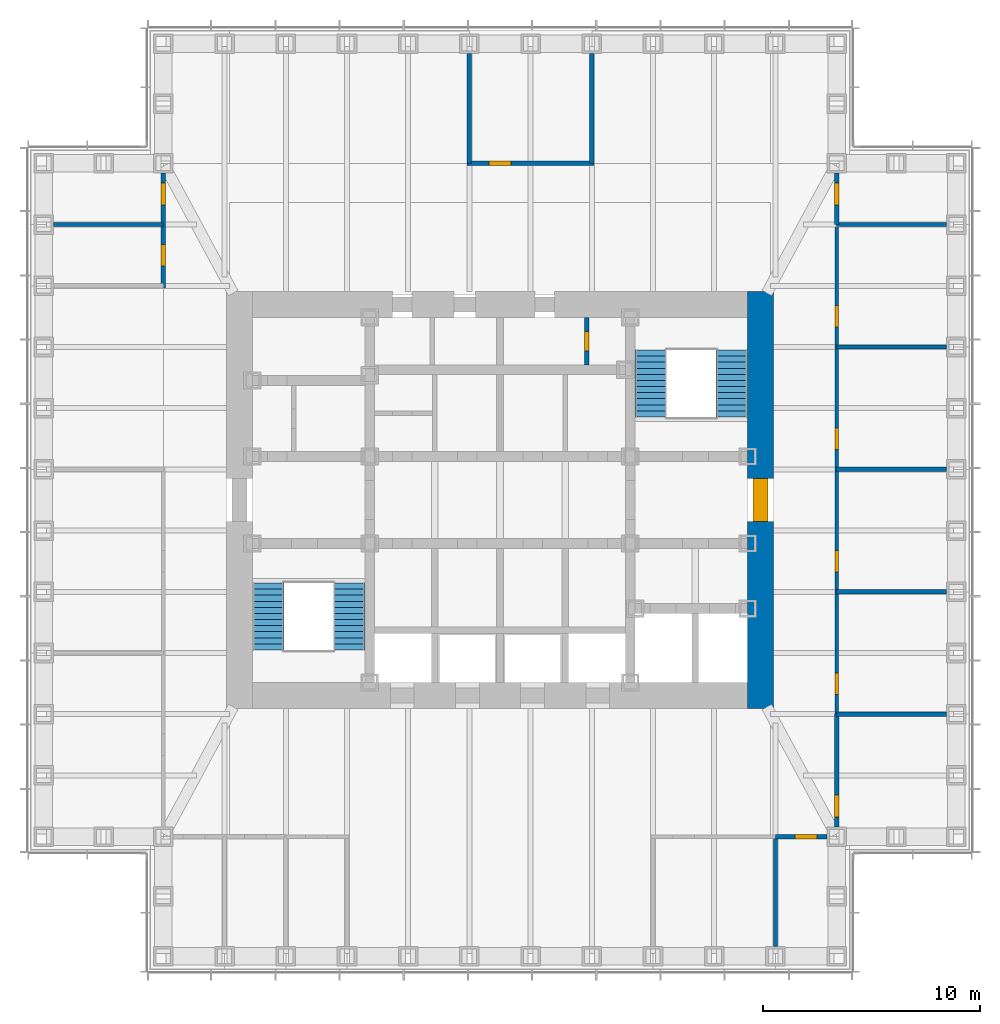
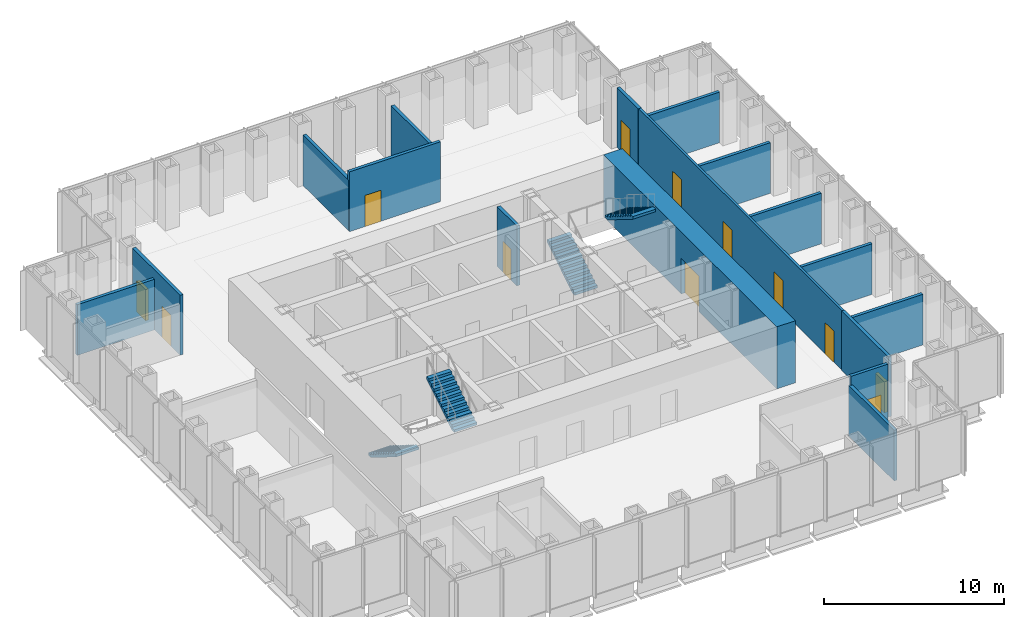
# One storey, part 10 of 16: 17 walls, 12 doors, 4 stair flights, 12 openings, 2 elements without a shape of their own.
"""IFC4 building model written with IfcOpenShell, lengths in metres."""

from ifc_helpers import new_model, si_unit, direction, frame, frame_2d, origin, place, context, subcontext, project, spatial, polyline, rectangle, outline, extrude, material, layer, layer_set, type_object, element, fill, aggregate, save


model = new_model("IFC4")

# Units and contexts
model_context = context("Model", 3, precision=1e-05, world=origin(), true_north=direction((0.0, 1.0)))
body_context = subcontext(model_context, "Body", "Model", "MODEL_VIEW")
ifc_project = project(units=[si_unit("LENGTHUNIT", "METRE"), si_unit("AREAUNIT", "SQUARE_METRE"), si_unit("VOLUMEUNIT", "CUBIC_METRE"), si_unit("PLANEANGLEUNIT", "RADIAN"), si_unit("MASSUNIT", "GRAM", prefix="KILO")], contexts=[model_context])

# Site, building, storey
site_placement = place(None, origin())
site = spatial("IfcSite", under=ifc_project, at=site_placement, CompositionType="ELEMENT")
building_placement = place(site_placement, origin())
building = spatial("IfcBuilding", under=site, at=building_placement, Name="Daluyong Arena Tower", CompositionType="ELEMENT")
storey_placement = place(building_placement, frame((0.0, 0.0, 198.10009765625)))
storey = spatial("IfcBuildingStorey", under=building, at=storey_placement, Name="L44", CompositionType="ELEMENT", Elevation=198.10009765625)

# Wall, opening, door
ifc_material_1 = material(Name="Concrete fc' 60 MPa", Category="concrete")
ifc_layer_1 = layer(ifc_material_1, 1.199951171875)
ifc_layer_set_1 = layer_set([ifc_layer_1], Name="Concrete fc' 60 MPa")
wall_type_1 = type_object("IfcWallType", Name="Core wall 1200", PredefinedType="SHEAR", material=ifc_layer_set_1)
wall_1_placement = place(storey_placement, frame((68.0, 70.39990234375, 0.0), z_axis=(0.0, 0.0, 1.0), x_axis=(0.0, 1.0, 0.0)))
wall_1 = element("IfcWall", 1, at=wall_1_placement, inside=storey, type_object=wall_type_1, Name="core wall at L44", PredefinedType="SHEAR", context=body_context, shape_type="SweptSolid", body=[
    extrude(rectangle(XDim=19.2001953125, YDim=1.199951171875, at=frame_2d((9.60009765625, 0.0))), origin(), (0.0, 0.0, 1.0), 4.199951171875),
])
opening_1_placement = place(wall_1_placement, frame((8.60009765625, 0.0, 0.0)))
opening_1 = element("IfcOpeningElement", 2, at=opening_1_placement, cuts=wall_1, Name="Opening 44020", PredefinedType="OPENING", context=body_context, shape_type="SweptSolid", body=[
    extrude(rectangle(XDim=2.0, YDim=2.39990234375, at=frame_2d((1.0, 1.199951171875))), frame((0.0, 0.60986328125, 0.0), z_axis=(0.0, -1.0, 0.0), x_axis=(1.0, 0.0, 0.0)), (0.0, 0.0, 1.0), 1.219970703125),
])
ifc_material_2 = material(Name="Steel door, fire rated", Category="steel")
door_type_1 = type_object("IfcDoorType", Name="Core lobby double door 2000", OperationType="DOUBLE_DOOR_SINGLE_SWING", PredefinedType="DOOR", material=ifc_material_2)
door_1_placement = place(opening_1_placement, origin())
door_1 = element("IfcDoor", 3, at=door_1_placement, inside=storey, type_object=door_type_1, Name="core lobby door east 44020", OperationType="DOUBLE_DOOR_SINGLE_SWING", OverallHeight=2.39990234375, OverallWidth=2.0, PredefinedType="DOOR", context=body_context, shape_type="SweptSolid", body=[
    extrude(rectangle(XDim=2.0, YDim=2.39990234375, at=frame_2d((1.0, 1.199951171875))), frame((0.0, 0.35009765625, 0.0), z_axis=(0.0, -1.0, 0.0), x_axis=(1.0, 0.0, 0.0)), (0.0, 0.0, 1.0), 0.699951171875),
])
fill(opening_1, door_1)

ifc_material_3 = material(Name="Concrete block partition, fire rated", Category="concrete")
ifc_layer_2 = layer(ifc_material_3, 0.199951171875)
ifc_layer_set_2 = layer_set([ifc_layer_2], Name="Concrete block partition, fire rated")
wall_type_2 = type_object("IfcWallType", Name="Fire-rated partition 200", PredefinedType="PARTITIONING", material=ifc_layer_set_2)
wall_2_placement = place(storey_placement, frame((60.0, 86.22509765625, 0.0), z_axis=(0.0, 0.0, 1.0), x_axis=(0.0, 1.0, 0.0)))
wall_2 = element("IfcWall", 4, at=wall_2_placement, inside=storey, type_object=wall_type_2, Name="electrical riser enclosure at L44", PredefinedType="PARTITIONING", context=body_context, shape_type="SweptSolid", body=[
    extrude(rectangle(XDim=2.1748046875, YDim=0.199951171875, at=frame_2d((1.08740234375, 0.0))), origin(), (0.0, 0.0, 1.0), 4.039794921875),
])
opening_2_placement = place(wall_2_placement, frame((0.637451171875, 0.0, 0.0)))
opening_2 = element("IfcOpeningElement", 5, at=opening_2_placement, cuts=wall_2, Name="Opening 44007", PredefinedType="OPENING", context=body_context, shape_type="SweptSolid", body=[
    extrude(rectangle(XDim=0.89990234375, YDim=2.10009765625, at=frame_2d((0.449951171875, 1.050048828125))), frame((0.0, 0.10986328125, 0.0), z_axis=(0.0, -1.0, 0.0), x_axis=(1.0, 0.0, 0.0)), (0.0, 0.0, 1.0), 0.219970703125),
])
ifc_material_4 = material(Name="Steel door, fire rated", Category="steel")
door_type_2 = type_object("IfcDoorType", Name="Riser door 900", OperationType="SINGLE_SWING_LEFT", PredefinedType="DOOR", material=ifc_material_4)
door_2_placement = place(opening_2_placement, origin())
door_2 = element("IfcDoor", 6, at=door_2_placement, inside=storey, type_object=door_type_2, Name="riser door 44007", OperationType="SINGLE_SWING_LEFT", OverallHeight=2.10009765625, OverallWidth=0.89990234375, PredefinedType="DOOR", context=body_context, shape_type="SweptSolid", body=[
    extrude(rectangle(XDim=0.89990234375, YDim=2.10009765625, at=frame_2d((0.449951171875, 1.050048828125))), frame((0.0, 0.099609375, 0.0), z_axis=(0.0, -1.0, 0.0), x_axis=(1.0, 0.0, 0.0)), (0.0, 0.0, 1.0), 0.199462890625),
])
fill(opening_2, door_2)

# Wall, openings, doors
ifc_material_5 = material(Name="Glazed aluminium partition", Category="aluminium")
ifc_layer_3 = layer(ifc_material_5, 0.14990234375)
ifc_layer_set_3 = layer_set([ifc_layer_3], Name="Glazed aluminium partition")
wall_type_3 = type_object("IfcWallType", Name="Glazed partition 150", PredefinedType="PARTITIONING", material=ifc_layer_set_3)
wall_3_placement = place(storey_placement, frame((71.5, 70.136474609375, 0.0), z_axis=(0.0, 0.0, 1.0), x_axis=(0.0, 1.0, 0.0)))
wall_3 = element("IfcWall", 7, at=wall_3_placement, inside=storey, type_object=wall_type_3, Name="glazed partition at L44", PredefinedType="PARTITIONING", context=body_context, shape_type="SweptSolid", body=[
    extrude(rectangle(XDim=22.54541015625, YDim=0.14990234375, at=frame_2d((11.272705078125, 0.0))), origin(), (0.0, 0.0, 1.0), 4.039794921875),
])
opening_3_placement = place(wall_3_placement, frame((0.9091796875, 0.0, 0.0)))
opening_3 = element("IfcOpeningElement", 8, at=opening_3_placement, cuts=wall_3, Name="Opening 44036", PredefinedType="OPENING", context=body_context, shape_type="SweptSolid", body=[
    extrude(rectangle(XDim=1.0, YDim=2.10009765625, at=frame_2d((0.5, 1.050048828125))), frame((0.0, 0.0849609375, 0.0), z_axis=(0.0, -1.0, 0.0), x_axis=(1.0, 0.0, 0.0)), (0.0, 0.0, 1.0), 0.169921875),
])
opening_4_placement = place(wall_3_placement, frame((6.54541015625, 0.0, 0.0)))
opening_4 = element("IfcOpeningElement", 9, at=opening_4_placement, cuts=wall_3, Name="Opening 44037", PredefinedType="OPENING", context=body_context, shape_type="SweptSolid", body=[
    extrude(rectangle(XDim=1.0, YDim=2.10009765625, at=frame_2d((0.5, 1.050048828125))), frame((0.0, 0.0849609375, 0.0), z_axis=(0.0, -1.0, 0.0), x_axis=(1.0, 0.0, 0.0)), (0.0, 0.0, 1.0), 0.169921875),
])
opening_5_placement = place(wall_3_placement, frame((12.181884765625, 0.0, 0.0)))
opening_5 = element("IfcOpeningElement", 10, at=opening_5_placement, cuts=wall_3, Name="Opening 44038", PredefinedType="OPENING", context=body_context, shape_type="SweptSolid", body=[
    extrude(rectangle(XDim=1.0, YDim=2.10009765625, at=frame_2d((0.5, 1.050048828125))), frame((0.0, 0.0849609375, 0.0), z_axis=(0.0, -1.0, 0.0), x_axis=(1.0, 0.0, 0.0)), (0.0, 0.0, 1.0), 0.169921875),
])
opening_6_placement = place(wall_3_placement, frame((17.818115234375, 0.0, 0.0)))
opening_6 = element("IfcOpeningElement", 11, at=opening_6_placement, cuts=wall_3, Name="Opening 44039", PredefinedType="OPENING", context=body_context, shape_type="SweptSolid", body=[
    extrude(rectangle(XDim=1.0, YDim=2.10009765625, at=frame_2d((0.5, 1.050048828125))), frame((0.0, 0.0849609375, 0.0), z_axis=(0.0, -1.0, 0.0), x_axis=(1.0, 0.0, 0.0)), (0.0, 0.0, 1.0), 0.169921875),
])
ifc_material_6 = material(Name="Timber door", Category="wood")
door_type_3 = type_object("IfcDoorType", Name="Room door 1000", OperationType="SINGLE_SWING_LEFT", PredefinedType="DOOR", material=ifc_material_6)
door_3_placement = place(opening_3_placement, origin())
door_3 = element("IfcDoor", 12, at=door_3_placement, inside=storey, type_object=door_type_3, Name="executive office door 44036", OperationType="SINGLE_SWING_LEFT", OverallHeight=2.10009765625, OverallWidth=1.0, PredefinedType="DOOR", context=body_context, shape_type="SweptSolid", body=[
    extrude(rectangle(XDim=1.0, YDim=2.10009765625, at=frame_2d((0.5, 1.050048828125))), frame((0.0, 0.07470703125, 0.0), z_axis=(0.0, -1.0, 0.0), x_axis=(1.0, 0.0, 0.0)), (0.0, 0.0, 1.0), 0.1494140625),
])
fill(opening_3, door_3)
door_4_placement = place(opening_4_placement, origin())
door_4 = element("IfcDoor", 13, at=door_4_placement, inside=storey, type_object=door_type_3, Name="executive office door 44037", OperationType="SINGLE_SWING_LEFT", OverallHeight=2.10009765625, OverallWidth=1.0, PredefinedType="DOOR", context=body_context, shape_type="SweptSolid", body=[
    extrude(rectangle(XDim=1.0, YDim=2.10009765625, at=frame_2d((0.5, 1.050048828125))), frame((0.0, 0.07470703125, 0.0), z_axis=(0.0, -1.0, 0.0), x_axis=(1.0, 0.0, 0.0)), (0.0, 0.0, 1.0), 0.1494140625),
])
fill(opening_4, door_4)
door_5_placement = place(opening_5_placement, origin())
door_5 = element("IfcDoor", 14, at=door_5_placement, inside=storey, type_object=door_type_3, Name="executive office door 44038", OperationType="SINGLE_SWING_LEFT", OverallHeight=2.10009765625, OverallWidth=1.0, PredefinedType="DOOR", context=body_context, shape_type="SweptSolid", body=[
    extrude(rectangle(XDim=1.0, YDim=2.10009765625, at=frame_2d((0.5, 1.050048828125))), frame((0.0, 0.07470703125, 0.0), z_axis=(0.0, -1.0, 0.0), x_axis=(1.0, 0.0, 0.0)), (0.0, 0.0, 1.0), 0.1494140625),
])
fill(opening_5, door_5)
door_6_placement = place(opening_6_placement, origin())
door_6 = element("IfcDoor", 15, at=door_6_placement, inside=storey, type_object=door_type_3, Name="office door 44039", OperationType="SINGLE_SWING_LEFT", OverallHeight=2.10009765625, OverallWidth=1.0, PredefinedType="DOOR", context=body_context, shape_type="SweptSolid", body=[
    extrude(rectangle(XDim=1.0, YDim=2.10009765625, at=frame_2d((0.5, 1.050048828125))), frame((0.0, 0.07470703125, 0.0), z_axis=(0.0, -1.0, 0.0), x_axis=(1.0, 0.0, 0.0)), (0.0, 0.0, 1.0), 0.1494140625),
])
fill(opening_6, door_6)

# Walls
ifc_material_7 = material(Name="Concrete block partition", Category="concrete")
ifc_layer_4 = layer(ifc_material_7, 0.199951171875)
ifc_layer_set_4 = layer_set([ifc_layer_4], Name="Concrete block partition")
wall_type_4 = type_object("IfcWallType", Name="Partition 200", PredefinedType="PARTITIONING", material=ifc_layer_set_4)
for number, where, z_axis, x_axis, name in (
    (16, (68.681884765625, 59.449951171875, 0.0), (0.0, 0.0, 1.0), (0.0, 1.0, 0.0), "partition at L44"),
    (17, (71.5, 70.136474609375, 0.0), (0.0, 0.0, 1.0), (1.0, 0.0, 0.0), "partition at L44"),
    (18, (71.5, 75.772705078125, 0.0), (0.0, 0.0, 1.0), (1.0, 0.0, 0.0), "partition at L44"),
    (19, (71.5, 81.4091796875, 0.0), (0.0, 0.0, 1.0), (1.0, 0.0, 0.0), "partition at L44"),
    (20, (71.5, 87.04541015625, 0.0), (0.0, 0.0, 1.0), (1.0, 0.0, 0.0), "partition at L44"),
    (21, (71.5, 92.681884765625, 0.0), (0.0, 0.0, 1.0), (1.0, 0.0, 0.0), "partition at L44"),
    (22, (54.5908203125, 95.5, 0.0), (0.0, 0.0, 1.0), (0.0, 1.0, 0.0), "partition at L44"),
    (23, (60.227294921875, 95.5, 0.0), (0.0, 0.0, 1.0), (0.0, 1.0, 0.0), "partition at L44"),
    (24, (35.449951171875, 92.681884765625, 0.0), (0.0, 0.0, 1.0), (1.0, 0.0, 0.0), "partition at L44"),
):
    element("IfcWall", number, at=place(storey_placement, frame(where, z_axis=z_axis, x_axis=x_axis)), inside=storey, type_object=wall_type_4, Name=name, PredefinedType="PARTITIONING", context=body_context, shape_type="SweptSolid", body=[
        extrude(rectangle(XDim=5.050048828125, YDim=0.199951171875, at=frame_2d((2.52490234375, 0.0))), origin(), (0.0, 0.0, 1.0), 3.427734375),
    ])

# Wall, opening, door
wall_4_placement = place(storey_placement, frame((68.681884765625, 64.5, 0.0), z_axis=(0.0, 0.0, 1.0), x_axis=(1.0, 0.0, 0.0)))
wall_4 = element("IfcWall", 25, at=wall_4_placement, inside=storey, type_object=wall_type_4, Name="partition at L44", PredefinedType="PARTITIONING", context=body_context, shape_type="SweptSolid", body=[
    extrude(rectangle(XDim=2.3681640625, YDim=0.199951171875, at=frame_2d((1.18408203125, 0.0))), origin(), (0.0, 0.0, 1.0), 4.039794921875),
])
opening_7_placement = place(wall_4_placement, frame((0.9091796875, 0.0, 0.0)))
opening_7 = element("IfcOpeningElement", 26, at=opening_7_placement, cuts=wall_4, Name="Opening 44034", PredefinedType="OPENING", context=body_context, shape_type="SweptSolid", body=[
    extrude(rectangle(XDim=1.0, YDim=2.10009765625, at=frame_2d((0.5, 1.050048828125))), frame((0.0, 0.10986328125, 0.0), z_axis=(0.0, -1.0, 0.0), x_axis=(1.0, 0.0, 0.0)), (0.0, 0.0, 1.0), 0.219970703125),
])
door_7_placement = place(opening_7_placement, origin())
door_7 = element("IfcDoor", 27, at=door_7_placement, inside=storey, type_object=door_type_3, Name="quiet room door 44034", OperationType="SINGLE_SWING_LEFT", OverallHeight=2.10009765625, OverallWidth=1.0, PredefinedType="DOOR", context=body_context, shape_type="SweptSolid", body=[
    extrude(rectangle(XDim=1.0, YDim=2.10009765625, at=frame_2d((0.5, 1.050048828125))), frame((0.0, 0.099609375, 0.0), z_axis=(0.0, -1.0, 0.0), x_axis=(1.0, 0.0, 0.0)), (0.0, 0.0, 1.0), 0.199462890625),
])
fill(opening_7, door_7)

wall_5_placement = place(storey_placement, frame((54.490966796875, 95.5, 0.0), z_axis=(0.0, 0.0, 1.0), x_axis=(1.0, 0.0, 0.0)))
wall_5 = element("IfcWall", 28, at=wall_5_placement, inside=storey, type_object=wall_type_4, Name="partition at L44", PredefinedType="PARTITIONING", context=body_context, shape_type="SweptSolid", body=[
    extrude(rectangle(XDim=5.83642578125, YDim=0.199951171875, at=frame_2d((2.918212890625, 0.0))), origin(), (0.0, 0.0, 1.0), 4.039794921875),
])
opening_8_placement = place(wall_5_placement, frame((1.009033203125, 0.0, 0.0)))
opening_8 = element("IfcOpeningElement", 29, at=opening_8_placement, cuts=wall_5, Name="Opening 44041", PredefinedType="OPENING", context=body_context, shape_type="SweptSolid", body=[
    extrude(rectangle(XDim=1.0, YDim=2.10009765625, at=frame_2d((0.5, 1.050048828125))), frame((0.0, 0.10986328125, 0.0), z_axis=(0.0, -1.0, 0.0), x_axis=(1.0, 0.0, 0.0)), (0.0, 0.0, 1.0), 0.219970703125),
])
door_8_placement = place(opening_8_placement, origin())
door_8 = element("IfcDoor", 30, at=door_8_placement, inside=storey, type_object=door_type_3, Name="pantry door 44041", OperationType="SINGLE_SWING_LEFT", OverallHeight=2.10009765625, OverallWidth=1.0, PredefinedType="DOOR", context=body_context, shape_type="SweptSolid", body=[
    extrude(rectangle(XDim=1.0, YDim=2.10009765625, at=frame_2d((0.5, 1.050048828125))), frame((0.0, 0.099609375, 0.0), z_axis=(0.0, -1.0, 0.0), x_axis=(1.0, 0.0, 0.0)), (0.0, 0.0, 1.0), 0.199462890625),
])
fill(opening_8, door_8)

# Wall, openings, doors
wall_6_placement = place(storey_placement, frame((40.5, 89.763671875, 0.0), z_axis=(0.0, 0.0, 1.0), x_axis=(0.0, 1.0, 0.0)))
wall_6 = element("IfcWall", 31, at=wall_6_placement, inside=storey, type_object=wall_type_4, Name="partition at L44", PredefinedType="PARTITIONING", context=body_context, shape_type="SweptSolid", body=[
    extrude(rectangle(XDim=5.286376953125, YDim=0.199951171875, at=frame_2d((2.64306640625, 0.0))), origin(), (0.0, 0.0, 1.0), 4.039794921875),
])
opening_9_placement = place(wall_6_placement, frame((1.009033203125, 0.0, 0.0)))
opening_9 = element("IfcOpeningElement", 32, at=opening_9_placement, cuts=wall_6, Name="Opening 44044", PredefinedType="OPENING", context=body_context, shape_type="SweptSolid", body=[
    extrude(rectangle(XDim=1.0, YDim=2.10009765625, at=frame_2d((0.5, 1.050048828125))), frame((0.0, 0.10986328125, 0.0), z_axis=(0.0, -1.0, 0.0), x_axis=(1.0, 0.0, 0.0)), (0.0, 0.0, 1.0), 0.219970703125),
])
opening_10_placement = place(wall_6_placement, frame((3.827392578125, 0.0, 0.0)))
opening_10 = element("IfcOpeningElement", 33, at=opening_10_placement, cuts=wall_6, Name="Opening 44045", PredefinedType="OPENING", context=body_context, shape_type="SweptSolid", body=[
    extrude(rectangle(XDim=1.0, YDim=2.10009765625, at=frame_2d((0.5, 1.050048828125))), frame((0.0, 0.10986328125, 0.0), z_axis=(0.0, -1.0, 0.0), x_axis=(1.0, 0.0, 0.0)), (0.0, 0.0, 1.0), 0.219970703125),
])
door_9_placement = place(opening_9_placement, origin())
door_9 = element("IfcDoor", 34, at=door_9_placement, inside=storey, type_object=door_type_3, Name="quiet room door 44044", OperationType="SINGLE_SWING_LEFT", OverallHeight=2.10009765625, OverallWidth=1.0, PredefinedType="DOOR", context=body_context, shape_type="SweptSolid", body=[
    extrude(rectangle(XDim=1.0, YDim=2.10009765625, at=frame_2d((0.5, 1.050048828125))), frame((0.0, 0.099609375, 0.0), z_axis=(0.0, -1.0, 0.0), x_axis=(1.0, 0.0, 0.0)), (0.0, 0.0, 1.0), 0.199462890625),
])
fill(opening_9, door_9)
door_10_placement = place(opening_10_placement, origin())
door_10 = element("IfcDoor", 35, at=door_10_placement, inside=storey, type_object=door_type_3, Name="quiet room door 44045", OperationType="SINGLE_SWING_LEFT", OverallHeight=2.10009765625, OverallWidth=1.0, PredefinedType="DOOR", context=body_context, shape_type="SweptSolid", body=[
    extrude(rectangle(XDim=1.0, YDim=2.10009765625, at=frame_2d((0.5, 1.050048828125))), frame((0.0, 0.099609375, 0.0), z_axis=(0.0, -1.0, 0.0), x_axis=(1.0, 0.0, 0.0)), (0.0, 0.0, 1.0), 0.199462890625),
])
fill(opening_10, door_10)

# Wall, opening, door
wall_7_placement = place(storey_placement, frame((71.5, 64.949951171875, 0.0), z_axis=(0.0, 0.0, 1.0), x_axis=(0.0, 1.0, 0.0)))
wall_7 = element("IfcWall", 36, at=wall_7_placement, inside=storey, type_object=wall_type_4, Name="partition at L44", PredefinedType="PARTITIONING", context=body_context, shape_type="SweptSolid", body=[
    extrude(rectangle(XDim=5.1865234375, YDim=0.199951171875, at=frame_2d((2.59326171875, 0.0))), origin(), (0.0, 0.0, 1.0), 4.039794921875),
])
opening_11_placement = place(wall_7_placement, frame((0.458984375, 0.0, 0.0)))
opening_11 = element("IfcOpeningElement", 37, at=opening_11_placement, cuts=wall_7, Name="Opening 44035", PredefinedType="OPENING", context=body_context, shape_type="SweptSolid", body=[
    extrude(rectangle(XDim=1.0, YDim=2.10009765625, at=frame_2d((0.5, 1.050048828125))), frame((0.0, 0.10986328125, 0.0), z_axis=(0.0, -1.0, 0.0), x_axis=(1.0, 0.0, 0.0)), (0.0, 0.0, 1.0), 0.219970703125),
])
door_11_placement = place(opening_11_placement, origin())
door_11 = element("IfcDoor", 38, at=door_11_placement, inside=storey, type_object=door_type_3, Name="project room door 44035", OperationType="SINGLE_SWING_LEFT", OverallHeight=2.10009765625, OverallWidth=1.0, PredefinedType="DOOR", context=body_context, shape_type="SweptSolid", body=[
    extrude(rectangle(XDim=1.0, YDim=2.10009765625, at=frame_2d((0.5, 1.050048828125))), frame((0.0, 0.099609375, 0.0), z_axis=(0.0, -1.0, 0.0), x_axis=(1.0, 0.0, 0.0)), (0.0, 0.0, 1.0), 0.199462890625),
])
fill(opening_11, door_11)

wall_8_placement = place(storey_placement, frame((71.5, 92.681884765625, 0.0), z_axis=(0.0, 0.0, 1.0), x_axis=(0.0, 1.0, 0.0)))
wall_8 = element("IfcWall", 39, at=wall_8_placement, inside=storey, type_object=wall_type_4, Name="partition at L44", PredefinedType="PARTITIONING", context=body_context, shape_type="SweptSolid", body=[
    extrude(rectangle(XDim=2.3681640625, YDim=0.199951171875, at=frame_2d((1.18408203125, 0.0))), origin(), (0.0, 0.0, 1.0), 4.039794921875),
])
opening_12_placement = place(wall_8_placement, frame((0.9091796875, 0.0, 0.0)))
opening_12 = element("IfcOpeningElement", 40, at=opening_12_placement, cuts=wall_8, Name="Opening 44040", PredefinedType="OPENING", context=body_context, shape_type="SweptSolid", body=[
    extrude(rectangle(XDim=1.0, YDim=2.10009765625, at=frame_2d((0.5, 1.050048828125))), frame((0.0, 0.10986328125, 0.0), z_axis=(0.0, -1.0, 0.0), x_axis=(1.0, 0.0, 0.0)), (0.0, 0.0, 1.0), 0.219970703125),
])
door_12_placement = place(opening_12_placement, origin())
door_12 = element("IfcDoor", 41, at=door_12_placement, inside=storey, type_object=door_type_3, Name="quiet room door 44040", OperationType="SINGLE_SWING_LEFT", OverallHeight=2.10009765625, OverallWidth=1.0, PredefinedType="DOOR", context=body_context, shape_type="SweptSolid", body=[
    extrude(rectangle(XDim=1.0, YDim=2.10009765625, at=frame_2d((0.5, 1.050048828125))), frame((0.0, 0.099609375, 0.0), z_axis=(0.0, -1.0, 0.0), x_axis=(1.0, 0.0, 0.0)), (0.0, 0.0, 1.0), 0.199462890625),
])
fill(opening_12, door_12)

# Stair, stair flights
ifc_material_8 = material(Name="Concrete fc' 35 MPa", Category="concrete")
stair_type = type_object("IfcStairType", Name="Core exit stair", PredefinedType="HALF_TURN_STAIR", material=ifc_material_8)
stair_1_placement = place(storey_placement, origin())
stair_1 = element("IfcStair", 42, at=stair_1_placement, inside=storey, type_object=stair_type, Name="exit stair A L44", PredefinedType="HALF_TURN_STAIR")
ifc_material_9 = material(Name="Concrete fc' 35 MPa", Category="concrete")
stair_flight_type = type_object("IfcStairFlightType", Name="Core stair flight", PredefinedType="STRAIGHT", material=ifc_material_9)
stair_flight_1_placement = place(storey_placement, frame((45.324951171875, 76.175048828125, 0.0), z_axis=(0.0, 0.0, 1.0), x_axis=(0.0, -1.0, 0.0)))
stair_flight_1 = element("IfcStairFlight", 43, at=stair_flight_1_placement, type_object=stair_flight_type, Name="STA flight 1", NumberOfRisers=12, NumberOfTreads=11, PredefinedType="STRAIGHT", RiserHeight=0.175, TreadLength=0.28, context=body_context, shape_type="SweptSolid", body=[
    extrude(outline(polyline([(0.0, 0.0), (0.0, 0.175048828125), (0.280029296875, 0.175048828125), (0.280029296875, 0.35009765625), (0.56005859375, 0.35009765625), (0.56005859375, 0.52490234375), (0.840087890625, 0.52490234375), (0.840087890625, 0.699951171875), (1.1201171875, 0.699951171875), (1.1201171875, 0.875), (1.39990234375, 0.875), (1.39990234375, 1.050048828125), (1.679931640625, 1.050048828125), (1.679931640625, 1.22509765625), (1.9599609375, 1.22509765625), (1.9599609375, 1.39990234375), (2.239990234375, 1.39990234375), (2.239990234375, 1.574951171875), (2.52001953125, 1.574951171875), (2.52001953125, 1.75), (2.800048828125, 1.75), (2.800048828125, 1.925048828125), (3.080078125, 1.925048828125), (3.080078125, 2.10009765625), (3.080078125, 1.748291015625), (0.28271484375, 0.0), (0.0, 0.0)])), frame((0.0, 0.72509765625, 0.0), z_axis=(0.0, -1.0, 0.0), x_axis=(1.0, 0.0, 0.0)), (0.0, 0.0, 1.0), 1.449951171875),
])
stair_flight_2_placement = place(storey_placement, frame((49.050048828125, 73.094970703125, 2.099853515625), z_axis=(0.0, 0.0, 1.0), x_axis=(0.0, 1.0, 0.0)))
stair_flight_2 = element("IfcStairFlight", 44, at=stair_flight_2_placement, type_object=stair_flight_type, Name="STA flight 2", NumberOfRisers=12, NumberOfTreads=11, PredefinedType="STRAIGHT", RiserHeight=0.175, TreadLength=0.28, context=body_context, shape_type="SweptSolid", body=[
    extrude(outline(polyline([(0.0, 0.0), (0.0, 0.175048828125), (0.280029296875, 0.175048828125), (0.280029296875, 0.35009765625), (0.56005859375, 0.35009765625), (0.56005859375, 0.52490234375), (0.840087890625, 0.52490234375), (0.840087890625, 0.699951171875), (1.1201171875, 0.699951171875), (1.1201171875, 0.875), (1.39990234375, 0.875), (1.39990234375, 1.050048828125), (1.679931640625, 1.050048828125), (1.679931640625, 1.22509765625), (1.9599609375, 1.22509765625), (1.9599609375, 1.39990234375), (2.239990234375, 1.39990234375), (2.239990234375, 1.574951171875), (2.52001953125, 1.574951171875), (2.52001953125, 1.75), (2.800048828125, 1.75), (2.800048828125, 1.925048828125), (3.080078125, 1.925048828125), (3.080078125, 2.10009765625), (3.080078125, 1.748291015625), (0.28271484375, 0.0), (0.0, 0.0)])), frame((0.0, 0.72509765625, 0.0), z_axis=(0.0, -1.0, 0.0), x_axis=(1.0, 0.0, 0.0)), (0.0, 0.0, 1.0), 1.449951171875),
])
aggregate(stair_1, [stair_flight_1, stair_flight_2])

stair_2_placement = place(storey_placement, origin())
stair_2 = element("IfcStair", 45, at=stair_2_placement, inside=storey, type_object=stair_type, Name="exit stair B L44", PredefinedType="HALF_TURN_STAIR")
stair_flight_3_placement = place(storey_placement, frame((62.949951171875, 83.824951171875, 0.0), z_axis=(0.0, 0.0, 1.0), x_axis=(0.0, 1.0, 0.0)))
stair_flight_3 = element("IfcStairFlight", 46, at=stair_flight_3_placement, type_object=stair_flight_type, Name="STB flight 1", NumberOfRisers=12, NumberOfTreads=11, PredefinedType="STRAIGHT", RiserHeight=0.175, TreadLength=0.28, context=body_context, shape_type="SweptSolid", body=[
    extrude(outline(polyline([(0.0, 0.0), (0.0, 0.175048828125), (0.280029296875, 0.175048828125), (0.280029296875, 0.35009765625), (0.56005859375, 0.35009765625), (0.56005859375, 0.52490234375), (0.840087890625, 0.52490234375), (0.840087890625, 0.699951171875), (1.1201171875, 0.699951171875), (1.1201171875, 0.875), (1.39990234375, 0.875), (1.39990234375, 1.050048828125), (1.679931640625, 1.050048828125), (1.679931640625, 1.22509765625), (1.9599609375, 1.22509765625), (1.9599609375, 1.39990234375), (2.239990234375, 1.39990234375), (2.239990234375, 1.574951171875), (2.52001953125, 1.574951171875), (2.52001953125, 1.75), (2.800048828125, 1.75), (2.800048828125, 1.925048828125), (3.080078125, 1.925048828125), (3.080078125, 2.10009765625), (3.080078125, 1.748291015625), (0.28271484375, 0.0), (0.0, 0.0)])), frame((0.0, 0.72509765625, 0.0), z_axis=(0.0, -1.0, 0.0), x_axis=(1.0, 0.0, 0.0)), (0.0, 0.0, 1.0), 1.449951171875),
])
stair_flight_4_placement = place(storey_placement, frame((66.675048828125, 86.905029296875, 2.099853515625), z_axis=(0.0, 0.0, 1.0), x_axis=(0.0, -1.0, 0.0)))
stair_flight_4 = element("IfcStairFlight", 47, at=stair_flight_4_placement, type_object=stair_flight_type, Name="STB flight 2", NumberOfRisers=12, NumberOfTreads=11, PredefinedType="STRAIGHT", RiserHeight=0.175, TreadLength=0.28, context=body_context, shape_type="SweptSolid", body=[
    extrude(outline(polyline([(0.0, 0.0), (0.0, 0.175048828125), (0.280029296875, 0.175048828125), (0.280029296875, 0.35009765625), (0.56005859375, 0.35009765625), (0.56005859375, 0.52490234375), (0.840087890625, 0.52490234375), (0.840087890625, 0.699951171875), (1.1201171875, 0.699951171875), (1.1201171875, 0.875), (1.39990234375, 0.875), (1.39990234375, 1.050048828125), (1.679931640625, 1.050048828125), (1.679931640625, 1.22509765625), (1.9599609375, 1.22509765625), (1.9599609375, 1.39990234375), (2.239990234375, 1.39990234375), (2.239990234375, 1.574951171875), (2.52001953125, 1.574951171875), (2.52001953125, 1.75), (2.800048828125, 1.75), (2.800048828125, 1.925048828125), (3.080078125, 1.925048828125), (3.080078125, 2.10009765625), (3.080078125, 1.748291015625), (0.28271484375, 0.0), (0.0, 0.0)])), frame((0.0, 0.72509765625, 0.0), z_axis=(0.0, -1.0, 0.0), x_axis=(1.0, 0.0, 0.0)), (0.0, 0.0, 1.0), 1.449951171875),
])
aggregate(stair_2, [stair_flight_3, stair_flight_4])

save(model, "model.ifc")
